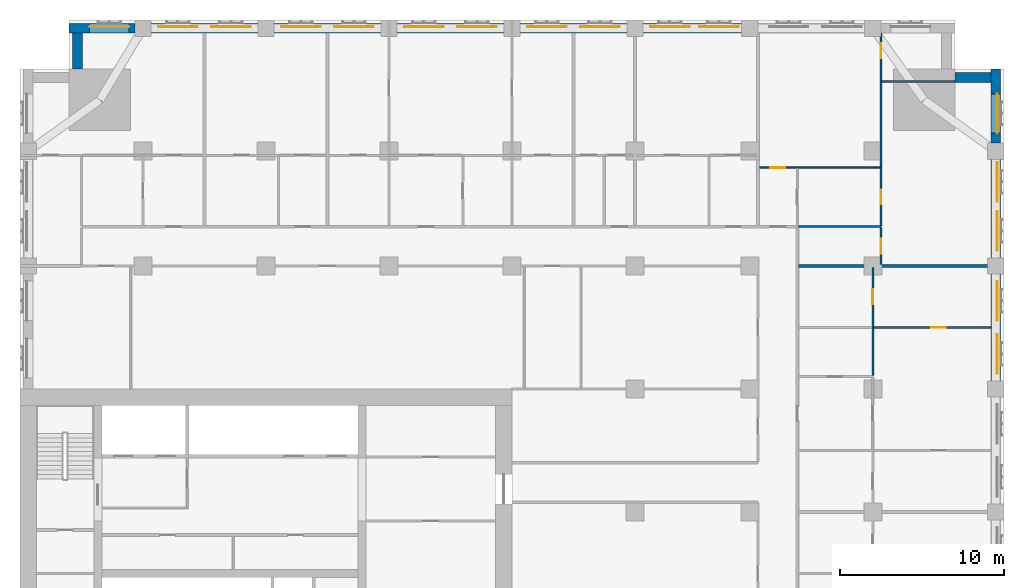
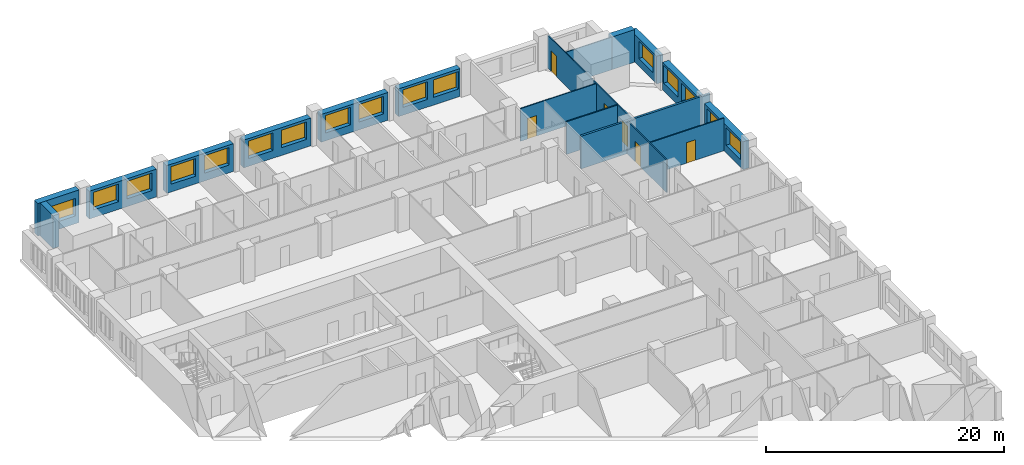
# One storey, part 11 of 14: 19 walls, 16 windows, 6 doors, 22 openings.
"""IFC4 building model written with IfcOpenShell, lengths in metres."""

from ifc_helpers import new_model, si_unit, direction, frame, frame_2d, origin, place, context, subcontext, project, spatial, rectangle, extrude, material, layer, layer_set, type_object, element, fill, save


model = new_model("IFC4")

# Units and contexts
model_context = context("Model", 3, precision=1e-05, world=origin(), true_north=direction((0.0, 1.0)))
body_context = subcontext(model_context, "Body", "Model", "MODEL_VIEW")
ifc_project = project(units=[si_unit("LENGTHUNIT", "METRE"), si_unit("AREAUNIT", "SQUARE_METRE"), si_unit("VOLUMEUNIT", "CUBIC_METRE"), si_unit("PLANEANGLEUNIT", "RADIAN"), si_unit("MASSUNIT", "GRAM", prefix="KILO")], contexts=[model_context])

# Site, building, storey
site_placement = place(None, origin())
site = spatial("IfcSite", under=ifc_project, at=site_placement, CompositionType="ELEMENT")
building_placement = place(site_placement, origin())
building = spatial("IfcBuilding", under=site, at=building_placement, Name="Tamorin Gate", CompositionType="ELEMENT")
storey_placement = place(building_placement, frame((0.0, 0.0, 89.89990234375)))
storey = spatial("IfcBuildingStorey", under=building, at=storey_placement, Name="L21", CompositionType="ELEMENT", Elevation=89.89990234375)

# Wall, openings, windows
ifc_material_1 = material(Name="Precast concrete C40/50", Category="concrete")
ifc_layer_1 = layer(ifc_material_1, 0.60009765625)
ifc_layer_set_1 = layer_set([ifc_layer_1], Name="Precast concrete C40/50")
wall_type_1 = type_object("IfcWallType", Name="Board-marked concrete facade panel 600", PredefinedType="SOLIDWALL", material=ifc_layer_set_1)
wall_1_placement = place(storey_placement, frame((89.5, 83.0, 0.0), z_axis=(0.0, 0.0, 1.0), x_axis=(0.0, 1.0, 0.0)))
wall_1 = element("IfcWall", 1, at=wall_1_placement, inside=storey, type_object=wall_type_1, Name="Facade panel", PredefinedType="SOLIDWALL", context=body_context, shape_type="SweptSolid", body=[
    extrude(rectangle(XDim=6.5, YDim=0.60009765625, at=frame_2d((3.25, 0.0))), origin(), (0.0, 0.0, 1.0), 2.85009765625),
])
opening_1_placement = place(wall_1_placement, frame((0.425048828125, 0.0, 0.800048828125)))
opening_1 = element("IfcOpeningElement", 2, at=opening_1_placement, cuts=wall_1, Name="Opening WN1", PredefinedType="OPENING", context=body_context, shape_type="SweptSolid", body=[
    extrude(rectangle(XDim=2.39990234375, YDim=1.800048828125, at=frame_2d((1.199951171875, 0.89990234375))), frame((0.0, 0.31005859375, 0.0), z_axis=(0.0, -1.0, 0.0), x_axis=(1.0, 0.0, 0.0)), (0.0, 0.0, 1.0), 0.6201171875),
])
opening_2_placement = place(wall_1_placement, frame((3.675048828125, 0.0, 0.800048828125)))
opening_2 = element("IfcOpeningElement", 3, at=opening_2_placement, cuts=wall_1, Name="Opening WN1", PredefinedType="OPENING", context=body_context, shape_type="SweptSolid", body=[
    extrude(rectangle(XDim=2.39990234375, YDim=1.800048828125, at=frame_2d((1.199951171875, 0.89990234375))), frame((0.0, 0.31005859375, 0.0), z_axis=(0.0, -1.0, 0.0), x_axis=(1.0, 0.0, 0.0)), (0.0, 0.0, 1.0), 0.6201171875),
])
ifc_material_2 = material(Name="Clear glass in aluminium frame", Category="aluminium")
window_type = type_object("IfcWindowType", Name="Deep-set window 2400x1800", PartitioningType="SINGLE_PANEL", PredefinedType="WINDOW", material=ifc_material_2)
window_1_placement = place(opening_1_placement, origin())
window_1 = element("IfcWindow", 4, at=window_1_placement, inside=storey, type_object=window_type, Name="Deep-set window", OverallHeight=1.800048828125, OverallWidth=2.39990234375, PartitioningType="SINGLE_PANEL", PredefinedType="WINDOW", context=body_context, shape_type="SweptSolid", body=[
    extrude(rectangle(XDim=2.39990234375, YDim=1.800048828125, at=frame_2d((1.199951171875, 0.89990234375))), frame((0.0, -0.070068359375, 0.0), z_axis=(0.0, -1.0, 0.0), x_axis=(1.0, 0.0, 0.0)), (0.0, 0.0, 1.0), 0.06005859375),
])
fill(opening_1, window_1)
window_2_placement = place(opening_2_placement, origin())
window_2 = element("IfcWindow", 5, at=window_2_placement, inside=storey, type_object=window_type, Name="Deep-set window", OverallHeight=1.800048828125, OverallWidth=2.39990234375, PartitioningType="SINGLE_PANEL", PredefinedType="WINDOW", context=body_context, shape_type="SweptSolid", body=[
    extrude(rectangle(XDim=2.39990234375, YDim=1.800048828125, at=frame_2d((1.199951171875, 0.89990234375))), frame((0.0, -0.070068359375, 0.0), z_axis=(0.0, -1.0, 0.0), x_axis=(1.0, 0.0, 0.0)), (0.0, 0.0, 1.0), 0.06005859375),
])
fill(opening_2, window_2)

wall_2_placement = place(storey_placement, frame((89.5, 90.5, 0.0), z_axis=(0.0, 0.0, 1.0), x_axis=(0.0, 1.0, 0.0)))
wall_2 = element("IfcWall", 6, at=wall_2_placement, inside=storey, type_object=wall_type_1, Name="Facade panel", PredefinedType="SOLIDWALL", context=body_context, shape_type="SweptSolid", body=[
    extrude(rectangle(XDim=6.0, YDim=0.60009765625, at=frame_2d((3.0, 0.0))), origin(), (0.0, 0.0, 1.0), 2.85009765625),
])
opening_3_placement = place(wall_2_placement, frame((0.425048828125, 0.0, 0.800048828125)))
opening_3 = element("IfcOpeningElement", 7, at=opening_3_placement, cuts=wall_2, Name="Opening WN1", PredefinedType="OPENING", context=body_context, shape_type="SweptSolid", body=[
    extrude(rectangle(XDim=2.39990234375, YDim=1.800048828125, at=frame_2d((1.199951171875, 0.89990234375))), frame((0.0, 0.31005859375, 0.0), z_axis=(0.0, -1.0, 0.0), x_axis=(1.0, 0.0, 0.0)), (0.0, 0.0, 1.0), 0.6201171875),
])
opening_4_placement = place(wall_2_placement, frame((3.425048828125, 0.0, 0.800048828125)))
opening_4 = element("IfcOpeningElement", 8, at=opening_4_placement, cuts=wall_2, Name="Opening WN1", PredefinedType="OPENING", context=body_context, shape_type="SweptSolid", body=[
    extrude(rectangle(XDim=2.39990234375, YDim=1.800048828125, at=frame_2d((1.199951171875, 0.89990234375))), frame((0.0, 0.31005859375, 0.0), z_axis=(0.0, -1.0, 0.0), x_axis=(1.0, 0.0, 0.0)), (0.0, 0.0, 1.0), 0.6201171875),
])
window_3_placement = place(opening_3_placement, origin())
window_3 = element("IfcWindow", 9, at=window_3_placement, inside=storey, type_object=window_type, Name="Deep-set window", OverallHeight=1.800048828125, OverallWidth=2.39990234375, PartitioningType="SINGLE_PANEL", PredefinedType="WINDOW", context=body_context, shape_type="SweptSolid", body=[
    extrude(rectangle(XDim=2.39990234375, YDim=1.800048828125, at=frame_2d((1.199951171875, 0.89990234375))), frame((0.0, -0.070068359375, 0.0), z_axis=(0.0, -1.0, 0.0), x_axis=(1.0, 0.0, 0.0)), (0.0, 0.0, 1.0), 0.06005859375),
])
fill(opening_3, window_3)
window_4_placement = place(opening_4_placement, origin())
window_4 = element("IfcWindow", 10, at=window_4_placement, inside=storey, type_object=window_type, Name="Deep-set window", OverallHeight=1.800048828125, OverallWidth=2.39990234375, PartitioningType="SINGLE_PANEL", PredefinedType="WINDOW", context=body_context, shape_type="SweptSolid", body=[
    extrude(rectangle(XDim=2.39990234375, YDim=1.800048828125, at=frame_2d((1.199951171875, 0.89990234375))), frame((0.0, -0.070068359375, 0.0), z_axis=(0.0, -1.0, 0.0), x_axis=(1.0, 0.0, 0.0)), (0.0, 0.0, 1.0), 0.06005859375),
])
fill(opening_4, window_4)

# Wall, opening, window
wall_3_placement = place(storey_placement, frame((89.5, 97.5, 0.0), z_axis=(0.0, 0.0, 1.0), x_axis=(0.0, 1.0, 0.0)))
wall_3 = element("IfcWall", 11, at=wall_3_placement, inside=storey, type_object=wall_type_1, Name="Facade panel", PredefinedType="SOLIDWALL", context=body_context, shape_type="SweptSolid", body=[
    extrude(rectangle(XDim=4.5, YDim=0.60009765625, at=frame_2d((2.25, 0.0))), origin(), (0.0, 0.0, 1.0), 2.85009765625),
])
opening_5_placement = place(wall_3_placement, frame((0.60009765625, 0.0, 0.800048828125)))
opening_5 = element("IfcOpeningElement", 12, at=opening_5_placement, cuts=wall_3, Name="Opening WN1", PredefinedType="OPENING", context=body_context, shape_type="SweptSolid", body=[
    extrude(rectangle(XDim=2.39990234375, YDim=1.800048828125, at=frame_2d((1.199951171875, 0.89990234375))), frame((0.0, 0.31005859375, 0.0), z_axis=(0.0, -1.0, 0.0), x_axis=(1.0, 0.0, 0.0)), (0.0, 0.0, 1.0), 0.6201171875),
])
window_5_placement = place(opening_5_placement, origin())
window_5 = element("IfcWindow", 13, at=window_5_placement, inside=storey, type_object=window_type, Name="Deep-set window", OverallHeight=1.800048828125, OverallWidth=2.39990234375, PartitioningType="SINGLE_PANEL", PredefinedType="WINDOW", context=body_context, shape_type="SweptSolid", body=[
    extrude(rectangle(XDim=2.39990234375, YDim=1.800048828125, at=frame_2d((1.199951171875, 0.89990234375))), frame((0.0, -0.070068359375, 0.0), z_axis=(0.0, -1.0, 0.0), x_axis=(1.0, 0.0, 0.0)), (0.0, 0.0, 1.0), 0.06005859375),
])
fill(opening_5, window_5)

# Wall
wall_4_placement = place(storey_placement, frame((89.199951171875, 101.5, 0.0), z_axis=(0.0, 0.0, 1.0), x_axis=(-1.0, 0.0, 0.0)))
element("IfcWall", 14, at=wall_4_placement, inside=storey, type_object=wall_type_1, Name="Facade panel", PredefinedType="SOLIDWALL", context=body_context, shape_type="SweptSolid", body=[
    extrude(rectangle(XDim=2.199951171875, YDim=0.60009765625, at=frame_2d((1.10009765625, 0.0))), origin(), (0.0, 0.0, 1.0), 3.35009765625),
])

# Wall, openings, windows
wall_5_placement = place(storey_placement, frame((74.0, 104.5, 0.0), z_axis=(0.0, 0.0, 1.0), x_axis=(-1.0, 0.0, 0.0)))
wall_5 = element("IfcWall", 15, at=wall_5_placement, inside=storey, type_object=wall_type_1, Name="Facade panel", PredefinedType="SOLIDWALL", context=body_context, shape_type="SweptSolid", body=[
    extrude(rectangle(XDim=6.0, YDim=0.60009765625, at=frame_2d((3.0, 0.0))), origin(), (0.0, 0.0, 1.0), 2.85009765625),
])
opening_6_placement = place(wall_5_placement, frame((3.175048828125, 0.0, 0.800048828125)))
opening_6 = element("IfcOpeningElement", 16, at=opening_6_placement, cuts=wall_5, Name="Opening WN1", PredefinedType="OPENING", context=body_context, shape_type="SweptSolid", body=[
    extrude(rectangle(XDim=2.39990234375, YDim=1.800048828125, at=frame_2d((1.199951171875, 0.89990234375))), frame((0.0, 0.31005859375, 0.0), z_axis=(0.0, -1.0, 0.0), x_axis=(1.0, 0.0, 0.0)), (0.0, 0.0, 1.0), 0.6201171875),
])
opening_7_placement = place(wall_5_placement, frame((0.175048828125, 0.0, 0.800048828125)))
opening_7 = element("IfcOpeningElement", 17, at=opening_7_placement, cuts=wall_5, Name="Opening WN1", PredefinedType="OPENING", context=body_context, shape_type="SweptSolid", body=[
    extrude(rectangle(XDim=2.39990234375, YDim=1.800048828125, at=frame_2d((1.199951171875, 0.89990234375))), frame((0.0, 0.31005859375, 0.0), z_axis=(0.0, -1.0, 0.0), x_axis=(1.0, 0.0, 0.0)), (0.0, 0.0, 1.0), 0.6201171875),
])
window_6_placement = place(opening_6_placement, origin())
window_6 = element("IfcWindow", 18, at=window_6_placement, inside=storey, type_object=window_type, Name="Deep-set window", OverallHeight=1.800048828125, OverallWidth=2.39990234375, PartitioningType="SINGLE_PANEL", PredefinedType="WINDOW", context=body_context, shape_type="SweptSolid", body=[
    extrude(rectangle(XDim=2.39990234375, YDim=1.800048828125, at=frame_2d((1.199951171875, 0.89990234375))), frame((0.0, -0.070068359375, 0.0), z_axis=(0.0, -1.0, 0.0), x_axis=(1.0, 0.0, 0.0)), (0.0, 0.0, 1.0), 0.06005859375),
])
fill(opening_6, window_6)
window_7_placement = place(opening_7_placement, origin())
window_7 = element("IfcWindow", 19, at=window_7_placement, inside=storey, type_object=window_type, Name="Deep-set window", OverallHeight=1.800048828125, OverallWidth=2.39990234375, PartitioningType="SINGLE_PANEL", PredefinedType="WINDOW", context=body_context, shape_type="SweptSolid", body=[
    extrude(rectangle(XDim=2.39990234375, YDim=1.800048828125, at=frame_2d((1.199951171875, 0.89990234375))), frame((0.0, -0.070068359375, 0.0), z_axis=(0.0, -1.0, 0.0), x_axis=(1.0, 0.0, 0.0)), (0.0, 0.0, 1.0), 0.06005859375),
])
fill(opening_7, window_7)

wall_6_placement = place(storey_placement, frame((67.0, 104.5, 0.0), z_axis=(0.0, 0.0, 1.0), x_axis=(-1.0, 0.0, 0.0)))
wall_6 = element("IfcWall", 20, at=wall_6_placement, inside=storey, type_object=wall_type_1, Name="Facade panel", PredefinedType="SOLIDWALL", context=body_context, shape_type="SweptSolid", body=[
    extrude(rectangle(XDim=6.5, YDim=0.60009765625, at=frame_2d((3.25, 0.0))), origin(), (0.0, 0.0, 1.0), 2.85009765625),
])
opening_8_placement = place(wall_6_placement, frame((3.675048828125, 0.0, 0.800048828125)))
opening_8 = element("IfcOpeningElement", 21, at=opening_8_placement, cuts=wall_6, Name="Opening WN1", PredefinedType="OPENING", context=body_context, shape_type="SweptSolid", body=[
    extrude(rectangle(XDim=2.39990234375, YDim=1.800048828125, at=frame_2d((1.199951171875, 0.89990234375))), frame((0.0, 0.31005859375, 0.0), z_axis=(0.0, -1.0, 0.0), x_axis=(1.0, 0.0, 0.0)), (0.0, 0.0, 1.0), 0.6201171875),
])
opening_9_placement = place(wall_6_placement, frame((0.425048828125, 0.0, 0.800048828125)))
opening_9 = element("IfcOpeningElement", 22, at=opening_9_placement, cuts=wall_6, Name="Opening WN1", PredefinedType="OPENING", context=body_context, shape_type="SweptSolid", body=[
    extrude(rectangle(XDim=2.39990234375, YDim=1.800048828125, at=frame_2d((1.199951171875, 0.89990234375))), frame((0.0, 0.31005859375, 0.0), z_axis=(0.0, -1.0, 0.0), x_axis=(1.0, 0.0, 0.0)), (0.0, 0.0, 1.0), 0.6201171875),
])
window_8_placement = place(opening_8_placement, origin())
window_8 = element("IfcWindow", 23, at=window_8_placement, inside=storey, type_object=window_type, Name="Deep-set window", OverallHeight=1.800048828125, OverallWidth=2.39990234375, PartitioningType="SINGLE_PANEL", PredefinedType="WINDOW", context=body_context, shape_type="SweptSolid", body=[
    extrude(rectangle(XDim=2.39990234375, YDim=1.800048828125, at=frame_2d((1.199951171875, 0.89990234375))), frame((0.0, -0.070068359375, 0.0), z_axis=(0.0, -1.0, 0.0), x_axis=(1.0, 0.0, 0.0)), (0.0, 0.0, 1.0), 0.06005859375),
])
fill(opening_8, window_8)
window_9_placement = place(opening_9_placement, origin())
window_9 = element("IfcWindow", 24, at=window_9_placement, inside=storey, type_object=window_type, Name="Deep-set window", OverallHeight=1.800048828125, OverallWidth=2.39990234375, PartitioningType="SINGLE_PANEL", PredefinedType="WINDOW", context=body_context, shape_type="SweptSolid", body=[
    extrude(rectangle(XDim=2.39990234375, YDim=1.800048828125, at=frame_2d((1.199951171875, 0.89990234375))), frame((0.0, -0.070068359375, 0.0), z_axis=(0.0, -1.0, 0.0), x_axis=(1.0, 0.0, 0.0)), (0.0, 0.0, 1.0), 0.06005859375),
])
fill(opening_9, window_9)

wall_7_placement = place(storey_placement, frame((59.5, 104.5, 0.0), z_axis=(0.0, 0.0, 1.0), x_axis=(-1.0, 0.0, 0.0)))
wall_7 = element("IfcWall", 25, at=wall_7_placement, inside=storey, type_object=wall_type_1, Name="Facade panel", PredefinedType="SOLIDWALL", context=body_context, shape_type="SweptSolid", body=[
    extrude(rectangle(XDim=6.5, YDim=0.60009765625, at=frame_2d((3.25, 0.0))), origin(), (0.0, 0.0, 1.0), 2.85009765625),
])
opening_10_placement = place(wall_7_placement, frame((3.675048828125, 0.0, 0.800048828125)))
opening_10 = element("IfcOpeningElement", 26, at=opening_10_placement, cuts=wall_7, Name="Opening WN1", PredefinedType="OPENING", context=body_context, shape_type="SweptSolid", body=[
    extrude(rectangle(XDim=2.39990234375, YDim=1.800048828125, at=frame_2d((1.199951171875, 0.89990234375))), frame((0.0, 0.31005859375, 0.0), z_axis=(0.0, -1.0, 0.0), x_axis=(1.0, 0.0, 0.0)), (0.0, 0.0, 1.0), 0.6201171875),
])
opening_11_placement = place(wall_7_placement, frame((0.425048828125, 0.0, 0.800048828125)))
opening_11 = element("IfcOpeningElement", 27, at=opening_11_placement, cuts=wall_7, Name="Opening WN1", PredefinedType="OPENING", context=body_context, shape_type="SweptSolid", body=[
    extrude(rectangle(XDim=2.39990234375, YDim=1.800048828125, at=frame_2d((1.199951171875, 0.89990234375))), frame((0.0, 0.31005859375, 0.0), z_axis=(0.0, -1.0, 0.0), x_axis=(1.0, 0.0, 0.0)), (0.0, 0.0, 1.0), 0.6201171875),
])
window_10_placement = place(opening_10_placement, origin())
window_10 = element("IfcWindow", 28, at=window_10_placement, inside=storey, type_object=window_type, Name="Deep-set window", OverallHeight=1.800048828125, OverallWidth=2.39990234375, PartitioningType="SINGLE_PANEL", PredefinedType="WINDOW", context=body_context, shape_type="SweptSolid", body=[
    extrude(rectangle(XDim=2.39990234375, YDim=1.800048828125, at=frame_2d((1.199951171875, 0.89990234375))), frame((0.0, -0.070068359375, 0.0), z_axis=(0.0, -1.0, 0.0), x_axis=(1.0, 0.0, 0.0)), (0.0, 0.0, 1.0), 0.06005859375),
])
fill(opening_10, window_10)
window_11_placement = place(opening_11_placement, origin())
window_11 = element("IfcWindow", 29, at=window_11_placement, inside=storey, type_object=window_type, Name="Deep-set window", OverallHeight=1.800048828125, OverallWidth=2.39990234375, PartitioningType="SINGLE_PANEL", PredefinedType="WINDOW", context=body_context, shape_type="SweptSolid", body=[
    extrude(rectangle(XDim=2.39990234375, YDim=1.800048828125, at=frame_2d((1.199951171875, 0.89990234375))), frame((0.0, -0.070068359375, 0.0), z_axis=(0.0, -1.0, 0.0), x_axis=(1.0, 0.0, 0.0)), (0.0, 0.0, 1.0), 0.06005859375),
])
fill(opening_11, window_11)

wall_8_placement = place(storey_placement, frame((52.0, 104.5, 0.0), z_axis=(0.0, 0.0, 1.0), x_axis=(-1.0, 0.0, 0.0)))
wall_8 = element("IfcWall", 30, at=wall_8_placement, inside=storey, type_object=wall_type_1, Name="Facade panel", PredefinedType="SOLIDWALL", context=body_context, shape_type="SweptSolid", body=[
    extrude(rectangle(XDim=6.5, YDim=0.60009765625, at=frame_2d((3.25, 0.0))), origin(), (0.0, 0.0, 1.0), 2.85009765625),
])
opening_12_placement = place(wall_8_placement, frame((3.675048828125, 0.0, 0.800048828125)))
opening_12 = element("IfcOpeningElement", 31, at=opening_12_placement, cuts=wall_8, Name="Opening WN1", PredefinedType="OPENING", context=body_context, shape_type="SweptSolid", body=[
    extrude(rectangle(XDim=2.39990234375, YDim=1.800048828125, at=frame_2d((1.199951171875, 0.89990234375))), frame((0.0, 0.31005859375, 0.0), z_axis=(0.0, -1.0, 0.0), x_axis=(1.0, 0.0, 0.0)), (0.0, 0.0, 1.0), 0.6201171875),
])
opening_13_placement = place(wall_8_placement, frame((0.425048828125, 0.0, 0.800048828125)))
opening_13 = element("IfcOpeningElement", 32, at=opening_13_placement, cuts=wall_8, Name="Opening WN1", PredefinedType="OPENING", context=body_context, shape_type="SweptSolid", body=[
    extrude(rectangle(XDim=2.39990234375, YDim=1.800048828125, at=frame_2d((1.199951171875, 0.89990234375))), frame((0.0, 0.31005859375, 0.0), z_axis=(0.0, -1.0, 0.0), x_axis=(1.0, 0.0, 0.0)), (0.0, 0.0, 1.0), 0.6201171875),
])
window_12_placement = place(opening_12_placement, origin())
window_12 = element("IfcWindow", 33, at=window_12_placement, inside=storey, type_object=window_type, Name="Deep-set window", OverallHeight=1.800048828125, OverallWidth=2.39990234375, PartitioningType="SINGLE_PANEL", PredefinedType="WINDOW", context=body_context, shape_type="SweptSolid", body=[
    extrude(rectangle(XDim=2.39990234375, YDim=1.800048828125, at=frame_2d((1.199951171875, 0.89990234375))), frame((0.0, -0.070068359375, 0.0), z_axis=(0.0, -1.0, 0.0), x_axis=(1.0, 0.0, 0.0)), (0.0, 0.0, 1.0), 0.06005859375),
])
fill(opening_12, window_12)
window_13_placement = place(opening_13_placement, origin())
window_13 = element("IfcWindow", 34, at=window_13_placement, inside=storey, type_object=window_type, Name="Deep-set window", OverallHeight=1.800048828125, OverallWidth=2.39990234375, PartitioningType="SINGLE_PANEL", PredefinedType="WINDOW", context=body_context, shape_type="SweptSolid", body=[
    extrude(rectangle(XDim=2.39990234375, YDim=1.800048828125, at=frame_2d((1.199951171875, 0.89990234375))), frame((0.0, -0.070068359375, 0.0), z_axis=(0.0, -1.0, 0.0), x_axis=(1.0, 0.0, 0.0)), (0.0, 0.0, 1.0), 0.06005859375),
])
fill(opening_13, window_13)

wall_9_placement = place(storey_placement, frame((44.5, 104.5, 0.0), z_axis=(0.0, 0.0, 1.0), x_axis=(-1.0, 0.0, 0.0)))
wall_9 = element("IfcWall", 35, at=wall_9_placement, inside=storey, type_object=wall_type_1, Name="Facade panel", PredefinedType="SOLIDWALL", context=body_context, shape_type="SweptSolid", body=[
    extrude(rectangle(XDim=6.5, YDim=0.60009765625, at=frame_2d((3.25, 0.0))), origin(), (0.0, 0.0, 1.0), 2.85009765625),
])
opening_14_placement = place(wall_9_placement, frame((3.675048828125, 0.0, 0.800048828125)))
opening_14 = element("IfcOpeningElement", 36, at=opening_14_placement, cuts=wall_9, Name="Opening WN1", PredefinedType="OPENING", context=body_context, shape_type="SweptSolid", body=[
    extrude(rectangle(XDim=2.39990234375, YDim=1.800048828125, at=frame_2d((1.199951171875, 0.89990234375))), frame((0.0, 0.31005859375, 0.0), z_axis=(0.0, -1.0, 0.0), x_axis=(1.0, 0.0, 0.0)), (0.0, 0.0, 1.0), 0.6201171875),
])
opening_15_placement = place(wall_9_placement, frame((0.425048828125, 0.0, 0.800048828125)))
opening_15 = element("IfcOpeningElement", 37, at=opening_15_placement, cuts=wall_9, Name="Opening WN1", PredefinedType="OPENING", context=body_context, shape_type="SweptSolid", body=[
    extrude(rectangle(XDim=2.39990234375, YDim=1.800048828125, at=frame_2d((1.199951171875, 0.89990234375))), frame((0.0, 0.31005859375, 0.0), z_axis=(0.0, -1.0, 0.0), x_axis=(1.0, 0.0, 0.0)), (0.0, 0.0, 1.0), 0.6201171875),
])
window_14_placement = place(opening_14_placement, origin())
window_14 = element("IfcWindow", 38, at=window_14_placement, inside=storey, type_object=window_type, Name="Deep-set window", OverallHeight=1.800048828125, OverallWidth=2.39990234375, PartitioningType="SINGLE_PANEL", PredefinedType="WINDOW", context=body_context, shape_type="SweptSolid", body=[
    extrude(rectangle(XDim=2.39990234375, YDim=1.800048828125, at=frame_2d((1.199951171875, 0.89990234375))), frame((0.0, -0.070068359375, 0.0), z_axis=(0.0, -1.0, 0.0), x_axis=(1.0, 0.0, 0.0)), (0.0, 0.0, 1.0), 0.06005859375),
])
fill(opening_14, window_14)
window_15_placement = place(opening_15_placement, origin())
window_15 = element("IfcWindow", 39, at=window_15_placement, inside=storey, type_object=window_type, Name="Deep-set window", OverallHeight=1.800048828125, OverallWidth=2.39990234375, PartitioningType="SINGLE_PANEL", PredefinedType="WINDOW", context=body_context, shape_type="SweptSolid", body=[
    extrude(rectangle(XDim=2.39990234375, YDim=1.800048828125, at=frame_2d((1.199951171875, 0.89990234375))), frame((0.0, -0.070068359375, 0.0), z_axis=(0.0, -1.0, 0.0), x_axis=(1.0, 0.0, 0.0)), (0.0, 0.0, 1.0), 0.06005859375),
])
fill(opening_15, window_15)

# Wall, opening, window
wall_10_placement = place(storey_placement, frame((37.0, 104.5, 0.0), z_axis=(0.0, 0.0, 1.0), x_axis=(-1.0, 0.0, 0.0)))
wall_10 = element("IfcWall", 40, at=wall_10_placement, inside=storey, type_object=wall_type_1, Name="Facade panel", PredefinedType="SOLIDWALL", context=body_context, shape_type="SweptSolid", body=[
    extrude(rectangle(XDim=4.0, YDim=0.60009765625, at=frame_2d((2.0, 0.0))), origin(), (0.0, 0.0, 1.0), 3.35009765625),
])
opening_16_placement = place(wall_10_placement, frame((0.35009765625, 0.0, 0.800048828125)))
opening_16 = element("IfcOpeningElement", 41, at=opening_16_placement, cuts=wall_10, Name="Opening WN1", PredefinedType="OPENING", context=body_context, shape_type="SweptSolid", body=[
    extrude(rectangle(XDim=2.39990234375, YDim=1.800048828125, at=frame_2d((1.199951171875, 0.89990234375))), frame((0.0, 0.31005859375, 0.0), z_axis=(0.0, -1.0, 0.0), x_axis=(1.0, 0.0, 0.0)), (0.0, 0.0, 1.0), 0.6201171875),
])
window_16_placement = place(opening_16_placement, origin())
window_16 = element("IfcWindow", 42, at=window_16_placement, inside=storey, type_object=window_type, Name="Deep-set window", OverallHeight=1.800048828125, OverallWidth=2.39990234375, PartitioningType="SINGLE_PANEL", PredefinedType="WINDOW", context=body_context, shape_type="SweptSolid", body=[
    extrude(rectangle(XDim=2.39990234375, YDim=1.800048828125, at=frame_2d((1.199951171875, 0.89990234375))), frame((0.0, -0.070068359375, 0.0), z_axis=(0.0, -1.0, 0.0), x_axis=(1.0, 0.0, 0.0)), (0.0, 0.0, 1.0), 0.06005859375),
])
fill(opening_16, window_16)

# Walls
wall_11_placement = place(storey_placement, frame((33.5, 104.199951171875, 0.0), z_axis=(0.0, 0.0, 1.0), x_axis=(0.0, -1.0, 0.0)))
element("IfcWall", 43, at=wall_11_placement, inside=storey, type_object=wall_type_1, Name="Facade panel", PredefinedType="SOLIDWALL", context=body_context, shape_type="SweptSolid", body=[
    extrude(rectangle(XDim=2.199951171875, YDim=0.60009765625, at=frame_2d((1.10009765625, 0.0))), origin(), (0.0, 0.0, 1.0), 3.35009765625),
])
ifc_material_3 = material(Name="Gypsum board partition")
ifc_layer_2 = layer(ifc_material_3, 0.199951171875)
ifc_layer_set_2 = layer_set([ifc_layer_2], Name="Demising wall 200")
wall_type_2 = type_object("IfcWallType", Name="Demising wall 200", PredefinedType="PARTITIONING", material=ifc_layer_set_2)
wall_12_placement = place(storey_placement, frame((77.47509765625, 90.0, 0.0), z_axis=(0.0, 0.0, 1.0), x_axis=(1.0, 0.0, 0.0)))
element("IfcWall", 44, at=wall_12_placement, inside=storey, type_object=wall_type_2, Name="Demising wall 200", PredefinedType="PARTITIONING", context=body_context, shape_type="SweptSolid", body=[
    extrude(rectangle(XDim=12.52490234375, YDim=0.199951171875, at=frame_2d((6.262451171875, 0.0))), origin(), (0.0, 0.0, 1.0), 3.35009765625),
])

# Wall, opening, door
ifc_layer_3 = layer(ifc_material_3, 0.10009765625)
ifc_layer_set_3 = layer_set([ifc_layer_3], Name="Room partition 100")
wall_type_3 = type_object("IfcWallType", Name="Room partition 100", PredefinedType="PARTITIONING", material=ifc_layer_set_3)
wall_13_placement = place(storey_placement, frame((82.0625, 86.25, 0.0), z_axis=(0.0, 0.0, 1.0), x_axis=(1.0, 0.0, 0.0)))
wall_13 = element("IfcWall", 45, at=wall_13_placement, inside=storey, type_object=wall_type_3, Name="Room partition 100", PredefinedType="PARTITIONING", context=body_context, shape_type="SweptSolid", body=[
    extrude(rectangle(XDim=7.12744140625, YDim=0.10009765625, at=frame_2d((3.563720703125, 0.0))), origin(), (0.0, 0.0, 1.0), 3.35009765625),
])
opening_17_placement = place(wall_13_placement, frame((3.487548828125, 0.0, 0.0)))
opening_17 = element("IfcOpeningElement", 46, at=opening_17_placement, cuts=wall_13, Name="Opening DH8059", PredefinedType="OPENING", context=body_context, shape_type="SweptSolid", body=[
    extrude(rectangle(XDim=0.89990234375, YDim=2.10009765625, at=frame_2d((0.449951171875, 1.050048828125))), frame((0.0, 0.06005859375, 0.0), z_axis=(0.0, -1.0, 0.0), x_axis=(1.0, 0.0, 0.0)), (0.0, 0.0, 1.0), 0.1201171875),
])
ifc_material_4 = material(Name="Timber door leaf", Category="wood")
door_type = type_object("IfcDoorType", Name="Door 900 x 2100", OperationType="NOTDEFINED", PredefinedType="DOOR", material=ifc_material_4)
door_1_placement = place(opening_17_placement, origin())
door_1 = element("IfcDoor", 47, at=door_1_placement, inside=storey, type_object=door_type, Name="Door DH8059", OperationType="SINGLE_SWING_RIGHT", OverallHeight=2.10009765625, OverallWidth=0.89990234375, PredefinedType="DOOR", context=body_context, shape_type="SweptSolid", body=[
    extrude(rectangle(XDim=0.89990234375, YDim=2.10009765625, at=frame_2d((0.449951171875, 1.050048828125))), frame((0.0, 0.02490234375, 0.0), z_axis=(0.0, -1.0, 0.0), x_axis=(1.0, 0.0, 0.0)), (0.0, 0.0, 1.0), 0.050048828125),
])
fill(opening_17, door_1)

wall_14_placement = place(storey_placement, frame((75.10009765625, 96.0, 0.0), z_axis=(0.0, 0.0, 1.0), x_axis=(1.0, 0.0, 0.0)))
wall_14 = element("IfcWall", 48, at=wall_14_placement, inside=storey, type_object=wall_type_3, Name="Room partition 100", PredefinedType="PARTITIONING", context=body_context, shape_type="SweptSolid", body=[
    extrude(rectangle(XDim=7.349853515625, YDim=0.10009765625, at=frame_2d((3.6748046875, 0.0))), origin(), (0.0, 0.0, 1.0), 3.35009765625),
])
opening_18_placement = place(wall_14_placement, frame((0.64990234375, 0.0, 0.0)))
opening_18 = element("IfcOpeningElement", 49, at=opening_18_placement, cuts=wall_14, Name="Opening DH8067", PredefinedType="OPENING", context=body_context, shape_type="SweptSolid", body=[
    extrude(rectangle(XDim=0.89990234375, YDim=2.10009765625, at=frame_2d((0.449951171875, 1.050048828125))), frame((0.0, 0.06005859375, 0.0), z_axis=(0.0, -1.0, 0.0), x_axis=(1.0, 0.0, 0.0)), (0.0, 0.0, 1.0), 0.1201171875),
])
door_2_placement = place(opening_18_placement, origin())
door_2 = element("IfcDoor", 50, at=door_2_placement, inside=storey, type_object=door_type, Name="Door DH8067", OperationType="SINGLE_SWING_LEFT", OverallHeight=2.10009765625, OverallWidth=0.89990234375, PredefinedType="DOOR", context=body_context, shape_type="SweptSolid", body=[
    extrude(rectangle(XDim=0.89990234375, YDim=2.10009765625, at=frame_2d((0.449951171875, 1.050048828125))), frame((0.0, 0.02490234375, 0.0), z_axis=(0.0, -1.0, 0.0), x_axis=(1.0, 0.0, 0.0)), (0.0, 0.0, 1.0), 0.050048828125),
])
fill(opening_18, door_2)

# Wall
wall_15_placement = place(storey_placement, frame((82.550048828125, 101.25, 0.0), z_axis=(0.0, 0.0, 1.0), x_axis=(1.0, 0.0, 0.0)))
element("IfcWall", 51, at=wall_15_placement, inside=storey, type_object=wall_type_3, Name="Room partition 100", PredefinedType="PARTITIONING", context=body_context, shape_type="SweptSolid", body=[
    extrude(rectangle(XDim=4.43994140625, YDim=0.10009765625, at=frame_2d((2.219970703125, 0.0))), origin(), (0.0, 0.0, 1.0), 3.35009765625),
])

# Wall, openings, doors
wall_16_placement = place(storey_placement, frame((82.5, 92.46240234375, 0.0), z_axis=(0.0, 0.0, 1.0), x_axis=(0.0, 1.0, 0.0)))
wall_16 = element("IfcWall", 52, at=wall_16_placement, inside=storey, type_object=wall_type_3, Name="Room partition 100", PredefinedType="PARTITIONING", context=body_context, shape_type="SweptSolid", body=[
    extrude(rectangle(XDim=11.7275390625, YDim=0.10009765625, at=frame_2d((5.86376953125, 0.0))), origin(), (0.0, 0.0, 1.0), 3.35009765625),
])
opening_19_placement = place(wall_16_placement, frame((10.21240234375, 0.0, 0.0)))
opening_19 = element("IfcOpeningElement", 53, at=opening_19_placement, cuts=wall_16, Name="Opening DH8069", PredefinedType="OPENING", context=body_context, shape_type="SweptSolid", body=[
    extrude(rectangle(XDim=0.89990234375, YDim=2.10009765625, at=frame_2d((0.449951171875, 1.050048828125))), frame((0.0, 0.06005859375, 0.0), z_axis=(0.0, -1.0, 0.0), x_axis=(1.0, 0.0, 0.0)), (0.0, 0.0, 1.0), 0.1201171875),
])
opening_20_placement = place(wall_16_placement, frame((1.28759765625, 0.0, 0.0)))
opening_20 = element("IfcOpeningElement", 54, at=opening_20_placement, cuts=wall_16, Name="Opening DH8070", PredefinedType="OPENING", context=body_context, shape_type="SweptSolid", body=[
    extrude(rectangle(XDim=0.89990234375, YDim=2.10009765625, at=frame_2d((0.449951171875, 1.050048828125))), frame((0.0, 0.06005859375, 0.0), z_axis=(0.0, -1.0, 0.0), x_axis=(1.0, 0.0, 0.0)), (0.0, 0.0, 1.0), 0.1201171875),
])
door_3_placement = place(opening_19_placement, origin())
door_3 = element("IfcDoor", 55, at=door_3_placement, inside=storey, type_object=door_type, Name="Door DH8069", OperationType="SINGLE_SWING_LEFT", OverallHeight=2.10009765625, OverallWidth=0.89990234375, PredefinedType="DOOR", context=body_context, shape_type="SweptSolid", body=[
    extrude(rectangle(XDim=0.89990234375, YDim=2.10009765625, at=frame_2d((0.449951171875, 1.050048828125))), frame((0.0, 0.02490234375, 0.0), z_axis=(0.0, -1.0, 0.0), x_axis=(1.0, 0.0, 0.0)), (0.0, 0.0, 1.0), 0.050048828125),
])
fill(opening_19, door_3)
door_4_placement = place(opening_20_placement, origin())
door_4 = element("IfcDoor", 56, at=door_4_placement, inside=storey, type_object=door_type, Name="Door DH8070", OperationType="SINGLE_SWING_RIGHT", OverallHeight=2.10009765625, OverallWidth=0.89990234375, PredefinedType="DOOR", context=body_context, shape_type="SweptSolid", body=[
    extrude(rectangle(XDim=0.89990234375, YDim=2.10009765625, at=frame_2d((0.449951171875, 1.050048828125))), frame((0.0, 0.02490234375, 0.0), z_axis=(0.0, -1.0, 0.0), x_axis=(1.0, 0.0, 0.0)), (0.0, 0.0, 1.0), 0.050048828125),
])
fill(opening_20, door_4)

# Wall
ifc_layer_4 = layer(ifc_material_3, 0.125)
ifc_layer_set_4 = layer_set([ifc_layer_4], Name="Wet wall 125")
wall_type_4 = type_object("IfcWallType", Name="Wet wall 125", PredefinedType="PARTITIONING", material=ifc_layer_set_4)
wall_17_placement = place(storey_placement, frame((77.47509765625, 92.39990234375, 0.0), z_axis=(0.0, 0.0, 1.0), x_axis=(1.0, 0.0, 0.0)))
element("IfcWall", 57, at=wall_17_placement, inside=storey, type_object=wall_type_4, Name="Wet wall 125", PredefinedType="PARTITIONING", context=body_context, shape_type="SweptSolid", body=[
    extrude(rectangle(XDim=5.02490234375, YDim=0.125, at=frame_2d((2.512451171875, 0.0))), origin(), (0.0, 0.0, 1.0), 3.35009765625),
])

# Wall, opening, door
wall_18_placement = place(storey_placement, frame((82.0, 83.3125, 0.0), z_axis=(0.0, 0.0, 1.0), x_axis=(0.0, 1.0, 0.0)))
wall_18 = element("IfcWall", 58, at=wall_18_placement, inside=storey, type_object=wall_type_4, Name="Wet wall 125", PredefinedType="PARTITIONING", context=body_context, shape_type="SweptSolid", body=[
    extrude(rectangle(XDim=6.58740234375, YDim=0.125, at=frame_2d((3.293701171875, 0.0))), origin(), (0.0, 0.0, 1.0), 3.35009765625),
])
opening_21_placement = place(wall_18_placement, frame((4.362548828125, 0.0, 0.0)))
opening_21 = element("IfcOpeningElement", 59, at=opening_21_placement, cuts=wall_18, Name="Opening DH8057", PredefinedType="OPENING", context=body_context, shape_type="SweptSolid", body=[
    extrude(rectangle(XDim=0.89990234375, YDim=2.10009765625, at=frame_2d((0.449951171875, 1.050048828125))), frame((0.0, 0.072509765625, 0.0), z_axis=(0.0, -1.0, 0.0), x_axis=(1.0, 0.0, 0.0)), (0.0, 0.0, 1.0), 0.14501953125),
])
door_5_placement = place(opening_21_placement, origin())
door_5 = element("IfcDoor", 60, at=door_5_placement, inside=storey, type_object=door_type, Name="Door DH8057", OperationType="SINGLE_SWING_LEFT", OverallHeight=2.10009765625, OverallWidth=0.89990234375, PredefinedType="DOOR", context=body_context, shape_type="SweptSolid", body=[
    extrude(rectangle(XDim=0.89990234375, YDim=2.10009765625, at=frame_2d((0.449951171875, 1.050048828125))), frame((0.0, 0.02490234375, 0.0), z_axis=(0.0, -1.0, 0.0), x_axis=(1.0, 0.0, 0.0)), (0.0, 0.0, 1.0), 0.050048828125),
])
fill(opening_21, door_5)

wall_19_placement = place(storey_placement, frame((82.5, 90.10009765625, 0.0), z_axis=(0.0, 0.0, 1.0), x_axis=(0.0, 1.0, 0.0)))
wall_19 = element("IfcWall", 61, at=wall_19_placement, inside=storey, type_object=wall_type_4, Name="Wet wall 125", PredefinedType="PARTITIONING", context=body_context, shape_type="SweptSolid", body=[
    extrude(rectangle(XDim=2.2373046875, YDim=0.125, at=frame_2d((1.11865234375, 0.0))), origin(), (0.0, 0.0, 1.0), 3.35009765625),
])
opening_22_placement = place(wall_19_placement, frame((0.64990234375, 0.0, 0.0)))
opening_22 = element("IfcOpeningElement", 62, at=opening_22_placement, cuts=wall_19, Name="Opening DH8071", PredefinedType="OPENING", context=body_context, shape_type="SweptSolid", body=[
    extrude(rectangle(XDim=0.89990234375, YDim=2.10009765625, at=frame_2d((0.449951171875, 1.050048828125))), frame((0.0, 0.072509765625, 0.0), z_axis=(0.0, -1.0, 0.0), x_axis=(1.0, 0.0, 0.0)), (0.0, 0.0, 1.0), 0.14501953125),
])
door_6_placement = place(opening_22_placement, origin())
door_6 = element("IfcDoor", 63, at=door_6_placement, inside=storey, type_object=door_type, Name="Door DH8071", OperationType="SINGLE_SWING_LEFT", OverallHeight=2.10009765625, OverallWidth=0.89990234375, PredefinedType="DOOR", context=body_context, shape_type="SweptSolid", body=[
    extrude(rectangle(XDim=0.89990234375, YDim=2.10009765625, at=frame_2d((0.449951171875, 1.050048828125))), frame((0.0, 0.02490234375, 0.0), z_axis=(0.0, -1.0, 0.0), x_axis=(1.0, 0.0, 0.0)), (0.0, 0.0, 1.0), 0.050048828125),
])
fill(opening_22, door_6)

save(model, "model.ifc")
